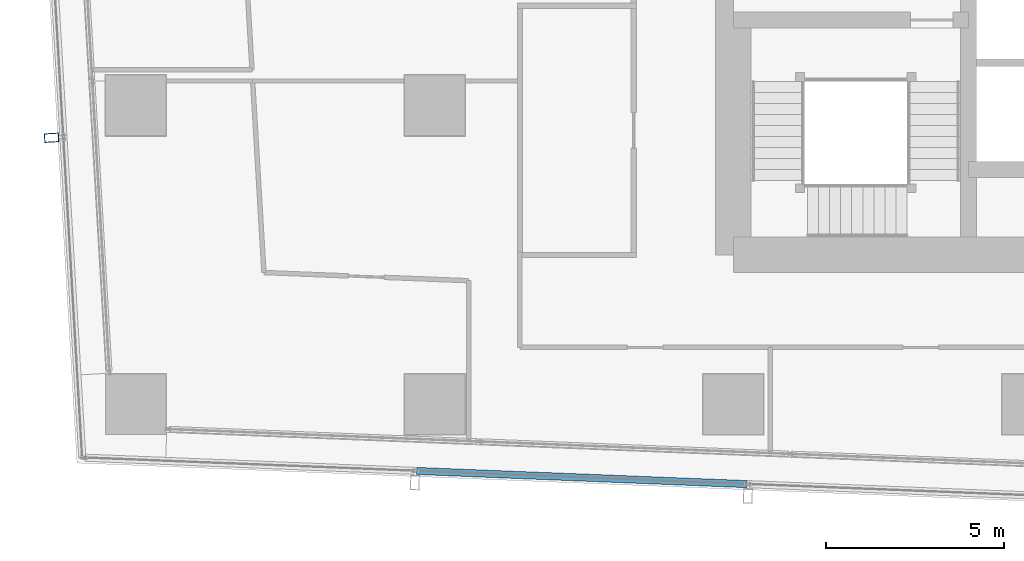
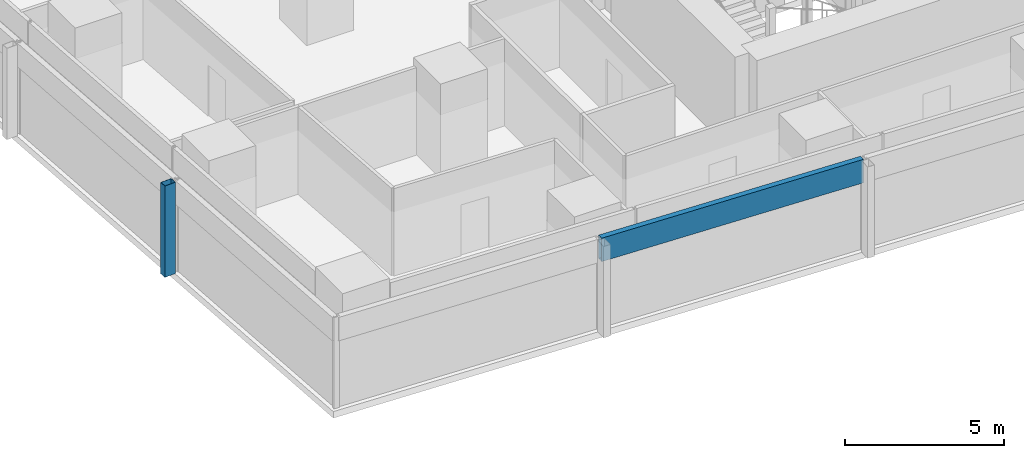
# One storey, part 4 of 39: 2 members, 2 elements without a shape of their own.
"""IFC4 building model written with IfcOpenShell, lengths in metres."""

from ifc_helpers import new_model, si_unit, direction, frame, origin, origin_2d, place, context, subcontext, project, spatial, hollow_rectangle, extrude, material, material_profile, profile_set, type_object, element, aggregate, save


model = new_model("IFC4")

# Units and contexts
model_context = context("Model", 3, precision=1e-05, world=origin(), true_north=direction((0.0, 1.0)))
body_context = subcontext(model_context, "Body", "Model", "MODEL_VIEW")
ifc_project = project(units=[si_unit("LENGTHUNIT", "METRE"), si_unit("AREAUNIT", "SQUARE_METRE"), si_unit("VOLUMEUNIT", "CUBIC_METRE"), si_unit("PLANEANGLEUNIT", "RADIAN"), si_unit("MASSUNIT", "GRAM", prefix="KILO")], contexts=[model_context])

# Site, building, storey
site_placement = place(None, origin())
site = spatial("IfcSite", under=ifc_project, at=site_placement, CompositionType="ELEMENT")
building_placement = place(site_placement, origin())
building = spatial("IfcBuilding", under=site, at=building_placement, Name="Rekha Terrace Tower", CompositionType="ELEMENT")
storey_placement = place(building_placement, frame((0.0, 0.0, 183.949951171875)))
storey = spatial("IfcBuildingStorey", under=building, at=storey_placement, Name="L46", CompositionType="ELEMENT", Elevation=183.949951171875)

# Curtain wall, member
ifc_material_1 = material(Name="Aluminium framing", Category="aluminium")
curtain_wall_type = type_object("IfcCurtainWallType", Name="CW2 double skin outer glazing", PredefinedType="USERDEFINED", material=ifc_material_1)
curtain_wall_1_placement = place(storey_placement, origin())
curtain_wall_1 = element("IfcCurtainWall", 1, at=curtain_wall_1_placement, inside=storey, type_object=curtain_wall_type, Name="CW2 double skin outer glazing", ObjectType="DOUBLE SKIN OUTER GLAZING", PredefinedType="USERDEFINED")
ifc_material_2 = material(Name="Steel S355 with fluorocarbon finish", Category="steel")
ifc_material_profile_1 = material_profile(ifc_material_2, hollow_rectangle(XDim=0.25, YDim=0.39990234375, WallThickness=0.012451171875, at=origin_2d()), Name="RHS400x250x12.5")
ifc_profile_set_1 = profile_set([ifc_material_profile_1], Name="Steel S355 with fluorocarbon finish")
member_type_1 = type_object("IfcMemberType", Name="BL1 facade blade RHS 400 x 250", PredefinedType="USERDEFINED", material=ifc_profile_set_1)
member_1_placement = place(storey_placement, frame((6.03662109375, 24.292236328125, 0.0), z_axis=(0.0, 0.0, 1.0), x_axis=(0.058764522885, -0.998271872212, 0.0)))
member_1 = element("IfcMember", 2, at=member_1_placement, type_object=member_type_1, Name="Facade blade", ObjectType="FACADE BLADE", PredefinedType="USERDEFINED", context=body_context, shape_type="SweptSolid", body=[
    extrude(hollow_rectangle(XDim=0.25, YDim=0.39990234375, WallThickness=0.012451171875, at=origin_2d()), origin(), (0.0, 0.0, 1.0), 3.5),
])
aggregate(curtain_wall_1, [member_1])

curtain_wall_2_placement = place(storey_placement, origin())
curtain_wall_2 = element("IfcCurtainWall", 3, at=curtain_wall_2_placement, inside=storey, type_object=curtain_wall_type, Name="CW2 double skin outer glazing", ObjectType="DOUBLE SKIN OUTER GLAZING", PredefinedType="USERDEFINED")
ifc_material_3 = material(Name="Insulated aluminium spandrel box", Category="aluminium")
ifc_material_profile_2 = material_profile(ifc_material_3, hollow_rectangle(XDim=0.199951171875, YDim=0.89990234375, WallThickness=0.0029296875, at=origin_2d()), Name="AL SPANDREL BOX 200x900")
ifc_profile_set_2 = profile_set([ifc_material_profile_2], Name="Insulated aluminium spandrel box")
member_type_2 = type_object("IfcMemberType", Name="CW2 spandrel transom 200 x 900", PredefinedType="USERDEFINED", material=ifc_profile_set_2)
member_2_placement = place(storey_placement, frame((16.2998046875, 14.928955078125, 3.050048828125), z_axis=(0.999205404308, -0.039856743486, 0.0), x_axis=(0.039856743486, 0.999205404308, 0.0)))
member_2 = element("IfcMember", 4, at=member_2_placement, type_object=member_type_2, Name="CW2 spandrel transom 2", ObjectType="TRANSOM", PredefinedType="USERDEFINED", context=body_context, shape_type="SweptSolid", body=[
    extrude(hollow_rectangle(XDim=0.199951171875, YDim=0.89990234375, WallThickness=0.0029296875, at=origin_2d()), origin(), (0.0, 0.0, 1.0), 9.2861328125),
])
aggregate(curtain_wall_2, [member_2])

save(model, "model.ifc")
